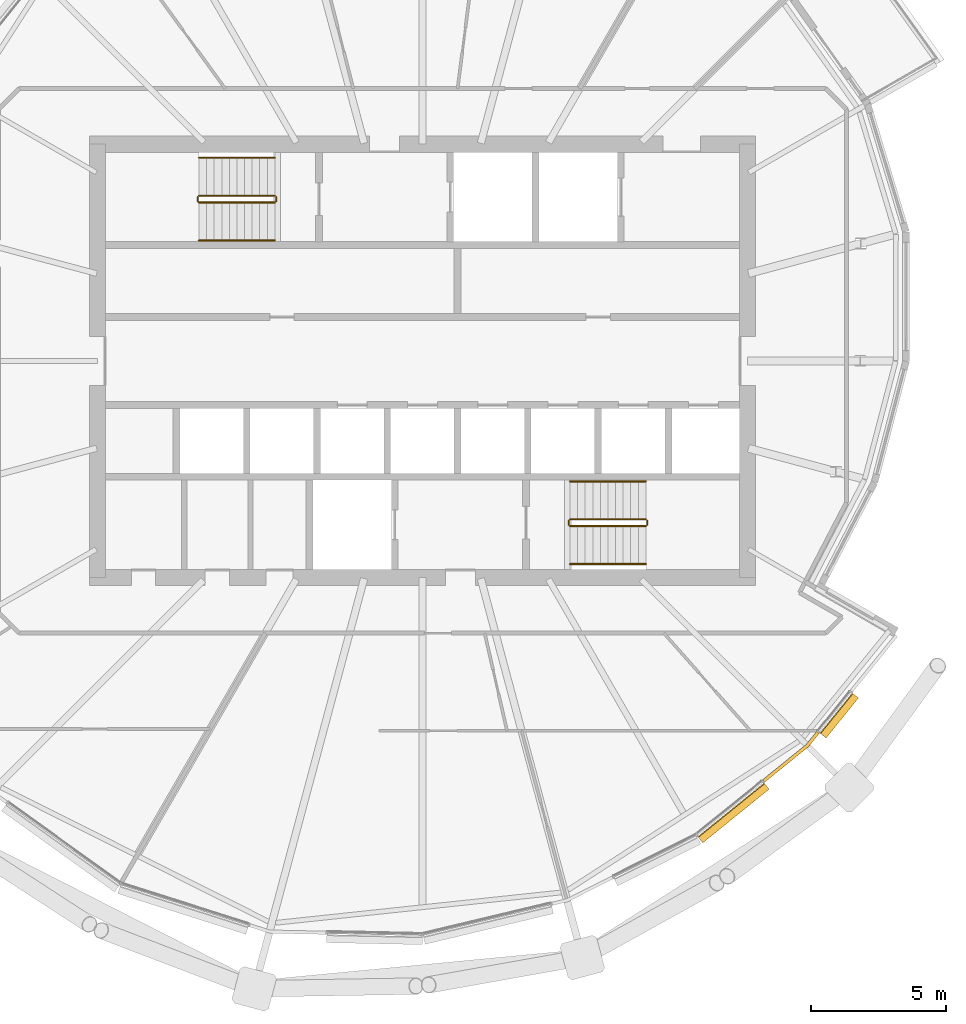
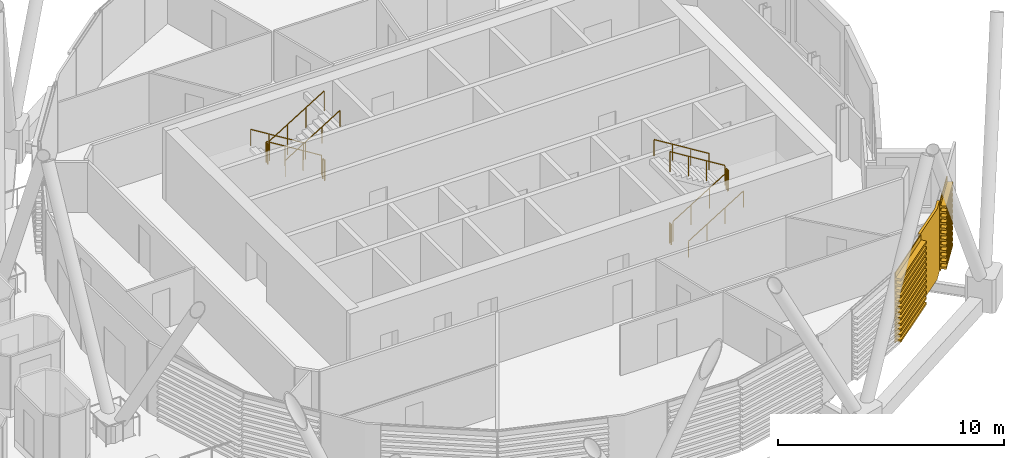
# One storey, part 36 of 38: 12 railings, 3 coverings.
"""IFC4 building model written with IfcOpenShell, lengths in metres."""

from ifc_helpers import new_model, si_unit, direction, frame, origin, origin_2d, place, context, subcontext, project, spatial, polyline, circle, outline, extrude, material, layer, layer_set, material_profile, profile_set, type_object, element, save


model = new_model("IFC4")

# Units and contexts
model_context = context("Model", 3, precision=1e-05, world=origin(), true_north=direction((0.0, 1.0)))
body_context = subcontext(model_context, "Body", "Model", "MODEL_VIEW")
ifc_project = project(units=[si_unit("LENGTHUNIT", "METRE"), si_unit("AREAUNIT", "SQUARE_METRE"), si_unit("VOLUMEUNIT", "CUBIC_METRE"), si_unit("PLANEANGLEUNIT", "RADIAN"), si_unit("MASSUNIT", "GRAM", prefix="KILO")], contexts=[model_context])

# Site, building, storey
site_placement = place(None, origin())
site = spatial("IfcSite", under=ifc_project, at=site_placement, CompositionType="ELEMENT")
building_placement = place(site_placement, origin())
building = spatial("IfcBuilding", under=site, at=building_placement, Name="Rimbun Link Towers", CompositionType="ELEMENT")
storey_placement = place(building_placement, frame((0.0, 0.0, 158.89990234375)))
storey = spatial("IfcBuildingStorey", under=building, at=storey_placement, Name="L38", CompositionType="ELEMENT", Elevation=158.89990234375)

# Covering
ifc_material_1 = material(Name="Terracotta", Category="masonry")
ifc_layer = layer(ifc_material_1, 0.1201171875)
ifc_layer_set = layer_set([ifc_layer], Name="LINK PIER terracotta cladding 120")
covering_type_1 = type_object("IfcCoveringType", Name="LINK PIER terracotta cladding 120", PredefinedType="CLADDING", material=ifc_layer_set)
covering_1_placement = place(storey_placement, origin())
element("IfcCovering", 1, at=covering_1_placement, inside=storey, type_object=covering_type_1, Name="LINK PIER cladding", PredefinedType="CLADDING", context=body_context, shape_type="SweptSolid", body=[
    extrude(outline(polyline([(46.304931640625, -13.682861328125), (45.914794921875, -14.164794921875), (44.305908203125, -15.46728515625), (44.38134765625, -15.560546875), (46.0, -14.25), (46.398193359375, -13.75830078125), (46.304931640625, -13.682861328125)])), origin(), (0.0, 0.0, 1.0), 3.800048828125),
])

# Railings
ifc_material_2 = material(Name="Stainless steel grade 316", Category="steel")
railing_type_1 = type_object("IfcRailingType", Name="Stair guard", PredefinedType="GUARDRAIL", material=ifc_material_2)
railing_1_placement = place(storey_placement, frame((26.300048828125, 6.10009765625, 0.1728515625)))
element("IfcRailing", 2, at=railing_1_placement, inside=storey, type_object=railing_type_1, Name="L38 ST3 stair guard 1", PredefinedType="GUARDRAIL", context=body_context, shape_type="SweptSolid", body=[
    extrude(circle(Radius=0.02392578125, at=origin_2d()), frame((0.0, 0.0, 1.076171875), z_axis=(-0.851089632645, 0.0, 0.525020415988), x_axis=(0.0, -1.0, 0.0)), (0.0, 0.0, 1.0), 3.2900390625),
    extrude(circle(Radius=0.02099609375, at=origin_2d()), origin(), (0.0, 0.0, 1.0), 1.052001953125),
    extrude(circle(Radius=0.02099609375, at=origin_2d()), frame((-0.933349609375, 0.0, 0.57568359375)), (0.0, 0.0, 1.0), 1.052001953125),
    extrude(circle(Radius=0.02099609375, at=origin_2d()), frame((-1.86669921875, 0.0, 1.151611328125)), (0.0, 0.0, 1.0), 1.052001953125),
    extrude(circle(Radius=0.02099609375, at=origin_2d()), frame((-2.800048828125, 0.0, 1.727294921875)), (0.0, 0.0, 1.0), 1.052001953125),
])
railing_2_placement = place(storey_placement, frame((23.449951171875, 6.050048828125, 1.900146484375)))
element("IfcRailing", 3, at=railing_2_placement, inside=storey, type_object=railing_type_1, Name="L38 ST3 stair guard 2", PredefinedType="GUARDRAIL", context=body_context, shape_type="SweptSolid", body=[
    extrude(circle(Radius=0.02392578125, at=origin_2d()), frame((0.0, 0.0, 1.076171875), z_axis=(0.0, -1.0, 0.0), x_axis=(1.0, 0.0, 0.0)), (0.0, 0.0, 1.0), 0.150146484375),
    extrude(circle(Radius=0.02099609375, at=origin_2d()), origin(), (0.0, 0.0, 1.0), 1.052001953125),
    extrude(circle(Radius=0.02099609375, at=origin_2d()), frame((0.0, -0.150146484375, 0.0)), (0.0, 0.0, 1.0), 1.052001953125),
])
railing_3_placement = place(storey_placement, frame((23.5, 5.85009765625, 2.07275390625)))
element("IfcRailing", 4, at=railing_3_placement, inside=storey, type_object=railing_type_1, Name="L38 ST3 stair guard 3", PredefinedType="GUARDRAIL", context=body_context, shape_type="SweptSolid", body=[
    extrude(circle(Radius=0.02392578125, at=origin_2d()), frame((0.0, 0.0, 1.076171875), z_axis=(0.851089632645, 0.0, 0.525020415988), x_axis=(0.0, 1.0, 0.0)), (0.0, 0.0, 1.0), 3.2900390625),
    extrude(circle(Radius=0.02099609375, at=origin_2d()), origin(), (0.0, 0.0, 1.0), 1.052001953125),
    extrude(circle(Radius=0.02099609375, at=origin_2d()), frame((0.933349609375, 0.0, 0.57568359375)), (0.0, 0.0, 1.0), 1.052001953125),
    extrude(circle(Radius=0.02099609375, at=origin_2d()), frame((1.86669921875, 0.0, 1.151611328125)), (0.0, 0.0, 1.0), 1.052001953125),
    extrude(circle(Radius=0.02099609375, at=origin_2d()), frame((2.800048828125, 0.0, 1.727294921875)), (0.0, 0.0, 1.0), 1.052001953125),
])
railing_4_placement = place(storey_placement, frame((26.35009765625, 6.050048828125, 0.0)))
element("IfcRailing", 5, at=railing_4_placement, inside=storey, type_object=railing_type_1, Name="L38 ST3 stair guard 4", PredefinedType="GUARDRAIL", context=body_context, shape_type="SweptSolid", body=[
    extrude(circle(Radius=0.02392578125, at=origin_2d()), frame((0.0, 0.0, 1.076171875), z_axis=(0.0, -1.0, 0.0), x_axis=(1.0, 0.0, 0.0)), (0.0, 0.0, 1.0), 0.150146484375),
    extrude(circle(Radius=0.02099609375, at=origin_2d()), origin(), (0.0, 0.0, 1.0), 1.052001953125),
    extrude(circle(Radius=0.02099609375, at=origin_2d()), frame((0.0, -0.150146484375, 0.0)), (0.0, 0.0, 1.0), 1.052001953125),
])
railing_5_placement = place(storey_placement, frame((37.199951171875, -6.10009765625, 0.1728515625)))
element("IfcRailing", 6, at=railing_5_placement, inside=storey, type_object=railing_type_1, Name="L38 ST4 stair guard 1", PredefinedType="GUARDRAIL", context=body_context, shape_type="SweptSolid", body=[
    extrude(circle(Radius=0.02392578125, at=origin_2d()), frame((0.0, 0.0, 1.076171875), z_axis=(0.851089632645, 0.0, 0.525020415988), x_axis=(0.0, 1.0, 0.0)), (0.0, 0.0, 1.0), 3.2900390625),
    extrude(circle(Radius=0.02099609375, at=origin_2d()), origin(), (0.0, 0.0, 1.0), 1.052001953125),
    extrude(circle(Radius=0.02099609375, at=origin_2d()), frame((0.933349609375, 0.0, 0.57568359375)), (0.0, 0.0, 1.0), 1.052001953125),
    extrude(circle(Radius=0.02099609375, at=origin_2d()), frame((1.86669921875, 0.0, 1.151611328125)), (0.0, 0.0, 1.0), 1.052001953125),
    extrude(circle(Radius=0.02099609375, at=origin_2d()), frame((2.800048828125, 0.0, 1.727294921875)), (0.0, 0.0, 1.0), 1.052001953125),
])
railing_6_placement = place(storey_placement, frame((40.050048828125, -6.050048828125, 1.900146484375)))
element("IfcRailing", 7, at=railing_6_placement, inside=storey, type_object=railing_type_1, Name="L38 ST4 stair guard 2", PredefinedType="GUARDRAIL", context=body_context, shape_type="SweptSolid", body=[
    extrude(circle(Radius=0.02392578125, at=origin_2d()), frame((0.0, 0.0, 1.076171875), z_axis=(0.0, 1.0, 0.0), x_axis=(-1.0, 0.0, 0.0)), (0.0, 0.0, 1.0), 0.150146484375),
    extrude(circle(Radius=0.02099609375, at=origin_2d()), origin(), (0.0, 0.0, 1.0), 1.052001953125),
    extrude(circle(Radius=0.02099609375, at=origin_2d()), frame((0.0, 0.150146484375, 0.0)), (0.0, 0.0, 1.0), 1.052001953125),
])
railing_7_placement = place(storey_placement, frame((40.0, -5.85009765625, 2.07275390625)))
element("IfcRailing", 8, at=railing_7_placement, inside=storey, type_object=railing_type_1, Name="L38 ST4 stair guard 3", PredefinedType="GUARDRAIL", context=body_context, shape_type="SweptSolid", body=[
    extrude(circle(Radius=0.02392578125, at=origin_2d()), frame((0.0, 0.0, 1.076171875), z_axis=(-0.851089632645, 0.0, 0.525020415988), x_axis=(0.0, -1.0, 0.0)), (0.0, 0.0, 1.0), 3.2900390625),
    extrude(circle(Radius=0.02099609375, at=origin_2d()), origin(), (0.0, 0.0, 1.0), 1.052001953125),
    extrude(circle(Radius=0.02099609375, at=origin_2d()), frame((-0.933349609375, 0.0, 0.57568359375)), (0.0, 0.0, 1.0), 1.052001953125),
    extrude(circle(Radius=0.02099609375, at=origin_2d()), frame((-1.86669921875, 0.0, 1.151611328125)), (0.0, 0.0, 1.0), 1.052001953125),
    extrude(circle(Radius=0.02099609375, at=origin_2d()), frame((-2.800048828125, 0.0, 1.727294921875)), (0.0, 0.0, 1.0), 1.052001953125),
])
railing_8_placement = place(storey_placement, frame((37.14990234375, -6.050048828125, 0.0)))
element("IfcRailing", 9, at=railing_8_placement, inside=storey, type_object=railing_type_1, Name="L38 ST4 stair guard 4", PredefinedType="GUARDRAIL", context=body_context, shape_type="SweptSolid", body=[
    extrude(circle(Radius=0.02392578125, at=origin_2d()), frame((0.0, 0.0, 1.076171875), z_axis=(0.0, 1.0, 0.0), x_axis=(-1.0, 0.0, 0.0)), (0.0, 0.0, 1.0), 0.150146484375),
    extrude(circle(Radius=0.02099609375, at=origin_2d()), origin(), (0.0, 0.0, 1.0), 1.052001953125),
    extrude(circle(Radius=0.02099609375, at=origin_2d()), frame((0.0, 0.150146484375, 0.0)), (0.0, 0.0, 1.0), 1.052001953125),
])
ifc_material_3 = material(Name="Stainless steel grade 316", Category="steel")
railing_type_2 = type_object("IfcRailingType", Name="Stair handrail", PredefinedType="HANDRAIL", material=ifc_material_3)
railing_9_placement = place(storey_placement, frame((26.300048828125, 7.5, 0.1728515625)))
element("IfcRailing", 10, at=railing_9_placement, inside=storey, type_object=railing_type_2, Name="L38 ST3 stair handrail 1", PredefinedType="HANDRAIL", context=body_context, shape_type="SweptSolid", body=[
    extrude(circle(Radius=0.02392578125, at=origin_2d()), frame((0.0, 0.0, 0.8759765625), z_axis=(-0.851089632645, 0.0, 0.525020415988), x_axis=(0.0, -1.0, 0.0)), (0.0, 0.0, 1.0), 3.2900390625),
    extrude(circle(Radius=0.02099609375, at=origin_2d()), origin(), (0.0, 0.0, 1.0), 0.851806640625),
    extrude(circle(Radius=0.02099609375, at=origin_2d()), frame((-0.933349609375, 0.0, 0.57568359375)), (0.0, 0.0, 1.0), 0.851806640625),
    extrude(circle(Radius=0.02099609375, at=origin_2d()), frame((-1.86669921875, 0.0, 1.151611328125)), (0.0, 0.0, 1.0), 0.851806640625),
    extrude(circle(Radius=0.02099609375, at=origin_2d()), frame((-2.800048828125, 0.0, 1.727294921875)), (0.0, 0.0, 1.0), 0.851806640625),
])
for number, where, name in (
    (11, (23.5, 4.449951171875, 2.07275390625), "L38 ST3 stair handrail 2"),
    (12, (37.199951171875, -7.5, 0.1728515625), "L38 ST4 stair handrail 1"),
):
    element("IfcRailing", number, at=place(storey_placement, frame(where)), inside=storey, type_object=railing_type_2, Name=name, PredefinedType="HANDRAIL", context=body_context, shape_type="SweptSolid", body=[
        extrude(circle(Radius=0.02392578125, at=origin_2d()), frame((0.0, 0.0, 0.8759765625), z_axis=(0.851089632645, 0.0, 0.525020415988), x_axis=(0.0, 1.0, 0.0)), (0.0, 0.0, 1.0), 3.2900390625),
        extrude(circle(Radius=0.02099609375, at=origin_2d()), origin(), (0.0, 0.0, 1.0), 0.851806640625),
        extrude(circle(Radius=0.02099609375, at=origin_2d()), frame((0.933349609375, 0.0, 0.57568359375)), (0.0, 0.0, 1.0), 0.851806640625),
        extrude(circle(Radius=0.02099609375, at=origin_2d()), frame((1.86669921875, 0.0, 1.151611328125)), (0.0, 0.0, 1.0), 0.851806640625),
        extrude(circle(Radius=0.02099609375, at=origin_2d()), frame((2.800048828125, 0.0, 1.727294921875)), (0.0, 0.0, 1.0), 0.851806640625),
    ])
railing_10_placement = place(storey_placement, frame((40.0, -4.449951171875, 2.07275390625)))
element("IfcRailing", 13, at=railing_10_placement, inside=storey, type_object=railing_type_2, Name="L38 ST4 stair handrail 2", PredefinedType="HANDRAIL", context=body_context, shape_type="SweptSolid", body=[
    extrude(circle(Radius=0.02392578125, at=origin_2d()), frame((0.0, 0.0, 0.8759765625), z_axis=(-0.851089632645, 0.0, 0.525020415988), x_axis=(0.0, -1.0, 0.0)), (0.0, 0.0, 1.0), 3.2900390625),
    extrude(circle(Radius=0.02099609375, at=origin_2d()), origin(), (0.0, 0.0, 1.0), 0.851806640625),
    extrude(circle(Radius=0.02099609375, at=origin_2d()), frame((-0.933349609375, 0.0, 0.57568359375)), (0.0, 0.0, 1.0), 0.851806640625),
    extrude(circle(Radius=0.02099609375, at=origin_2d()), frame((-1.86669921875, 0.0, 1.151611328125)), (0.0, 0.0, 1.0), 0.851806640625),
    extrude(circle(Radius=0.02099609375, at=origin_2d()), frame((-2.800048828125, 0.0, 1.727294921875)), (0.0, 0.0, 1.0), 0.851806640625),
])

# Coverings
ifc_material_4 = material(Name="Terracotta", Category="masonry")
ifc_material_profile = material_profile(ifc_material_4, outline(polyline([(0.123046875, 0.0), (0.1630859375, 0.0), (0.1630859375, 0.10009765625), (0.423095703125, 0.10009765625), (0.423095703125, 0.219970703125), (0.1630859375, 0.219970703125), (0.1630859375, 0.39990234375), (0.423095703125, 0.39990234375), (0.423095703125, 0.52001953125), (0.1630859375, 0.52001953125), (0.1630859375, 0.699951171875), (0.423095703125, 0.699951171875), (0.423095703125, 0.820068359375), (0.1630859375, 0.820068359375), (0.1630859375, 1.0), (0.423095703125, 1.0), (0.423095703125, 1.1201171875), (0.1630859375, 1.1201171875), (0.1630859375, 1.300048828125), (0.423095703125, 1.300048828125), (0.423095703125, 1.419921875), (0.1630859375, 1.419921875), (0.1630859375, 1.60009765625), (0.423095703125, 1.60009765625), (0.423095703125, 1.719970703125), (0.1630859375, 1.719970703125), (0.1630859375, 1.89990234375), (0.423095703125, 1.89990234375), (0.423095703125, 2.02001953125), (0.1630859375, 2.02001953125), (0.1630859375, 2.199951171875), (0.423095703125, 2.199951171875), (0.423095703125, 2.320068359375), (0.1630859375, 2.320068359375), (0.1630859375, 2.5), (0.423095703125, 2.5), (0.423095703125, 2.6201171875), (0.1630859375, 2.6201171875), (0.1630859375, 2.800048828125), (0.423095703125, 2.800048828125), (0.423095703125, 2.919921875), (0.1630859375, 2.919921875), (0.1630859375, 3.10009765625), (0.423095703125, 3.10009765625), (0.423095703125, 3.219970703125), (0.1630859375, 3.219970703125), (0.1630859375, 3.39990234375), (0.423095703125, 3.39990234375), (0.423095703125, 3.52001953125), (0.1630859375, 3.52001953125), (0.1630859375, 3.800048828125), (0.123046875, 3.800048828125), (0.123046875, 0.0)])), Name="BAGUETTE 120X300")
ifc_profile_set = profile_set([ifc_material_profile], Name="Terracotta")
covering_type_2 = type_object("IfcCoveringType", Name="TERRACOTTA BAGUETTE 120X300 H3800", PredefinedType="CLADDING", material=ifc_profile_set)
covering_2_placement = place(storey_placement, frame((44.282470703125, -15.486083984375, 0.0), z_axis=(-0.7772936153, -0.62913800999, 0.0), x_axis=(0.62913800999, -0.7772936153, 0.0)))
element("IfcCovering", 14, at=covering_2_placement, inside=storey, type_object=covering_type_2, Name="TERRACOTTA BAGUETTE", PredefinedType="CLADDING", context=body_context, shape_type="SweptSolid", body=[
    extrude(outline(polyline([(0.123046875, 0.0), (0.1630859375, 0.0), (0.1630859375, 0.10009765625), (0.423095703125, 0.10009765625), (0.423095703125, 0.219970703125), (0.1630859375, 0.219970703125), (0.1630859375, 0.39990234375), (0.423095703125, 0.39990234375), (0.423095703125, 0.52001953125), (0.1630859375, 0.52001953125), (0.1630859375, 0.699951171875), (0.423095703125, 0.699951171875), (0.423095703125, 0.820068359375), (0.1630859375, 0.820068359375), (0.1630859375, 1.0), (0.423095703125, 1.0), (0.423095703125, 1.1201171875), (0.1630859375, 1.1201171875), (0.1630859375, 1.300048828125), (0.423095703125, 1.300048828125), (0.423095703125, 1.419921875), (0.1630859375, 1.419921875), (0.1630859375, 1.60009765625), (0.423095703125, 1.60009765625), (0.423095703125, 1.719970703125), (0.1630859375, 1.719970703125), (0.1630859375, 1.89990234375), (0.423095703125, 1.89990234375), (0.423095703125, 2.02001953125), (0.1630859375, 2.02001953125), (0.1630859375, 2.199951171875), (0.423095703125, 2.199951171875), (0.423095703125, 2.320068359375), (0.1630859375, 2.320068359375), (0.1630859375, 2.5), (0.423095703125, 2.5), (0.423095703125, 2.6201171875), (0.1630859375, 2.6201171875), (0.1630859375, 2.800048828125), (0.423095703125, 2.800048828125), (0.423095703125, 2.919921875), (0.1630859375, 2.919921875), (0.1630859375, 3.10009765625), (0.423095703125, 3.10009765625), (0.423095703125, 3.219970703125), (0.1630859375, 3.219970703125), (0.1630859375, 3.39990234375), (0.423095703125, 3.39990234375), (0.423095703125, 3.52001953125), (0.1630859375, 3.52001953125), (0.1630859375, 3.800048828125), (0.123046875, 3.800048828125), (0.123046875, 0.0)])), origin(), (0.0, 0.0, 1.0), 3.149169921875),
])
covering_3_placement = place(storey_placement, frame((47.5185546875, -12.183349609375, 0.0), z_axis=(-0.629105776509, -0.777319703831, 0.0), x_axis=(0.777319703831, -0.629105776509, 0.0)))
element("IfcCovering", 15, at=covering_3_placement, inside=storey, type_object=covering_type_2, Name="TERRACOTTA BAGUETTE", PredefinedType="CLADDING", context=body_context, shape_type="SweptSolid", body=[
    extrude(outline(polyline([(0.123046875, 0.0), (0.1630859375, 0.0), (0.1630859375, 0.10009765625), (0.423095703125, 0.10009765625), (0.423095703125, 0.219970703125), (0.1630859375, 0.219970703125), (0.1630859375, 0.39990234375), (0.423095703125, 0.39990234375), (0.423095703125, 0.52001953125), (0.1630859375, 0.52001953125), (0.1630859375, 0.699951171875), (0.423095703125, 0.699951171875), (0.423095703125, 0.820068359375), (0.1630859375, 0.820068359375), (0.1630859375, 1.0), (0.423095703125, 1.0), (0.423095703125, 1.1201171875), (0.1630859375, 1.1201171875), (0.1630859375, 1.300048828125), (0.423095703125, 1.300048828125), (0.423095703125, 1.419921875), (0.1630859375, 1.419921875), (0.1630859375, 1.60009765625), (0.423095703125, 1.60009765625), (0.423095703125, 1.719970703125), (0.1630859375, 1.719970703125), (0.1630859375, 1.89990234375), (0.423095703125, 1.89990234375), (0.423095703125, 2.02001953125), (0.1630859375, 2.02001953125), (0.1630859375, 2.199951171875), (0.423095703125, 2.199951171875), (0.423095703125, 2.320068359375), (0.1630859375, 2.320068359375), (0.1630859375, 2.5), (0.423095703125, 2.5), (0.423095703125, 2.6201171875), (0.1630859375, 2.6201171875), (0.1630859375, 2.800048828125), (0.423095703125, 2.800048828125), (0.423095703125, 2.919921875), (0.1630859375, 2.919921875), (0.1630859375, 3.10009765625), (0.423095703125, 3.10009765625), (0.423095703125, 3.219970703125), (0.1630859375, 3.219970703125), (0.1630859375, 3.39990234375), (0.423095703125, 3.39990234375), (0.423095703125, 3.52001953125), (0.1630859375, 3.52001953125), (0.1630859375, 3.800048828125), (0.123046875, 3.800048828125), (0.123046875, 0.0)])), origin(), (0.0, 0.0, 1.0), 1.899169921875),
])

save(model, "model.ifc")
